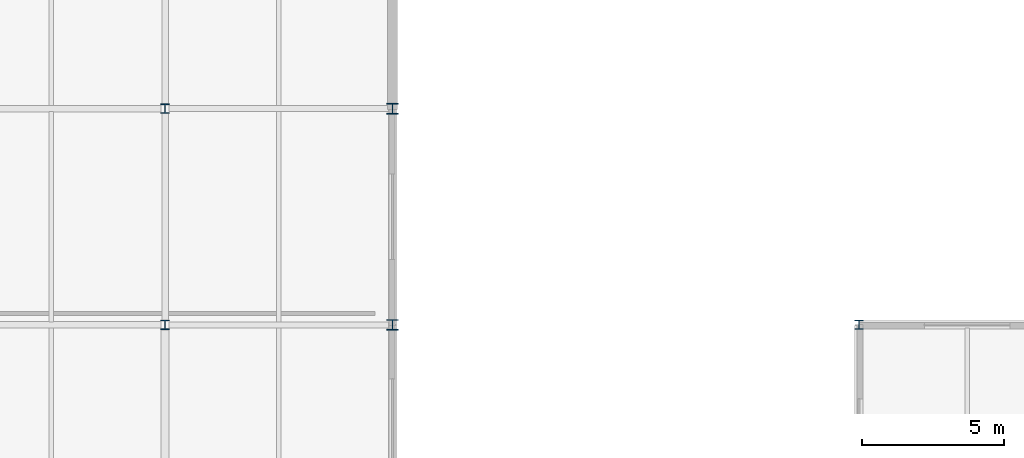
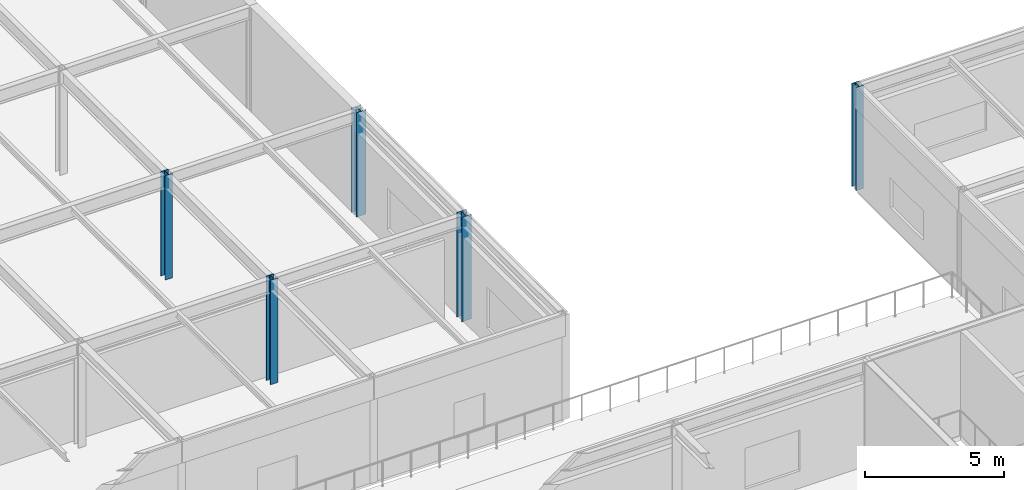
# One storey, part 11 of 100: 5 columns.
"""IFC4 building model written with IfcOpenShell, lengths in metres."""

from ifc_helpers import new_model, si_unit, direction, frame, origin, origin_2d, place, context, subcontext, project, spatial, i_section, extrude, material, material_profile, profile_set, type_object, element, save


model = new_model("IFC4")

# Units and contexts
model_context = context("Model", 3, precision=1e-05, world=origin(), true_north=direction((0.0, 1.0)))
body_context = subcontext(model_context, "Body", "Model", "MODEL_VIEW")
ifc_project = project(units=[si_unit("LENGTHUNIT", "METRE"), si_unit("AREAUNIT", "SQUARE_METRE"), si_unit("VOLUMEUNIT", "CUBIC_METRE"), si_unit("PLANEANGLEUNIT", "RADIAN"), si_unit("MASSUNIT", "GRAM", prefix="KILO")], contexts=[model_context])

# Site, building, storey
site_placement = place(None, origin())
site = spatial("IfcSite", under=ifc_project, at=site_placement, CompositionType="ELEMENT")
building_placement = place(site_placement, origin())
building = spatial("IfcBuilding", under=site, at=building_placement, Name="Zulena Civic Courthouse", CompositionType="ELEMENT")
storey_placement = place(building_placement, frame((0.0, 0.0, 20.39990234375)))
storey = spatial("IfcBuildingStorey", under=building, at=storey_placement, Name="L04", CompositionType="ELEMENT", Elevation=20.39990234375)

# Columns
ifc_material = material(Name="Steel ASTM A992 Grade 50", Category="steel")
ifc_material_profile_1 = material_profile(ifc_material, i_section(OverallWidth=0.31298828125, OverallDepth=0.3330078125, WebThickness=0.01806640625, FlangeThickness=0.0283203125, FilletRadius=0.01513671875, at=origin_2d()), Name="W12X120")
ifc_profile_set_1 = profile_set([ifc_material_profile_1], Name="Steel ASTM A992 Grade 50")
column_type_1 = type_object("IfcColumnType", Name="Col_W12X120", PredefinedType="COLUMN", material=ifc_profile_set_1)
for number, where, z_axis, x_axis, name in (
    (1, (100.0, 53.199951171875, 0.0), (0.0, 0.0, 1.0), (1.0, 0.0, 0.0), "col:V5:L04:100.0:53.2"),
    (2, (100.0, 60.800048828125, 0.0), (0.0, 0.0, 1.0), (1.0, 0.0, 0.0), "col:V5:L04:100.0:60.8"),
):
    element("IfcColumn", number, at=place(storey_placement, frame(where, z_axis=z_axis, x_axis=x_axis)), inside=storey, type_object=column_type_1, Name=name, PredefinedType="COLUMN", context=body_context, shape_type="SweptSolid", body=[
        extrude(i_section(OverallWidth=0.31298828125, OverallDepth=0.3330078125, WebThickness=0.01806640625, FlangeThickness=0.0283203125, FilletRadius=0.01513671875, at=origin_2d()), origin(), (0.0, 0.0, 1.0), 4.59521484375),
    ])
ifc_material_profile_2 = material_profile(ifc_material, i_section(OverallWidth=0.30908203125, OverallDepth=0.322998046875, WebThickness=0.013916015625, FlangeThickness=0.02294921875, FilletRadius=0.01513671875, at=origin_2d()), Name="W12X96")
ifc_profile_set_2 = profile_set([ifc_material_profile_2], Name="Steel ASTM A992 Grade 50")
column_type_2 = type_object("IfcColumnType", Name="Col_W12X96", PredefinedType="COLUMN", material=ifc_profile_set_2)
column_placement = place(storey_placement, frame((124.39990234375, 53.199951171875, 0.0), z_axis=(0.0, 0.0, 1.0), x_axis=(1.0, 0.0, 0.0)))
element("IfcColumn", 3, at=column_placement, inside=storey, type_object=column_type_2, Name="col:V3:L04:124.4:53.2", PredefinedType="COLUMN", context=body_context, shape_type="SweptSolid", body=[
    extrude(i_section(OverallWidth=0.30908203125, OverallDepth=0.322998046875, WebThickness=0.013916015625, FlangeThickness=0.02294921875, FilletRadius=0.01513671875, at=origin_2d()), origin(), (0.0, 0.0, 1.0), 4.545166015625),
])
ifc_material_profile_3 = material_profile(ifc_material, i_section(OverallWidth=0.39404296875, OverallDepth=0.3759765625, WebThickness=0.017333984375, FlangeThickness=0.027587890625, FilletRadius=0.01513671875, at=origin_2d()), Name="W14X145")
ifc_profile_set_3 = profile_set([ifc_material_profile_3], Name="Steel ASTM A992 Grade 50")
column_type_3 = type_object("IfcColumnType", Name="Col_W14X145", PredefinedType="COLUMN", material=ifc_profile_set_3)
for number, where, z_axis, x_axis, name in (
    (4, (108.0, 53.199951171875, 0.0), (0.0, 0.0, 1.0), (1.0, 0.0, 0.0), "col:V5:L04:108.0:53.2"),
    (5, (108.0, 60.800048828125, 0.0), (0.0, 0.0, 1.0), (1.0, 0.0, 0.0), "col:V5:L04:108.0:60.8"),
):
    element("IfcColumn", number, at=place(storey_placement, frame(where, z_axis=z_axis, x_axis=x_axis)), inside=storey, type_object=column_type_3, Name=name, PredefinedType="COLUMN", context=body_context, shape_type="SweptSolid", body=[
        extrude(i_section(OverallWidth=0.39404296875, OverallDepth=0.3759765625, WebThickness=0.017333984375, FlangeThickness=0.027587890625, FilletRadius=0.01513671875, at=origin_2d()), origin(), (0.0, 0.0, 1.0), 4.59521484375),
    ])

save(model, "model.ifc")
